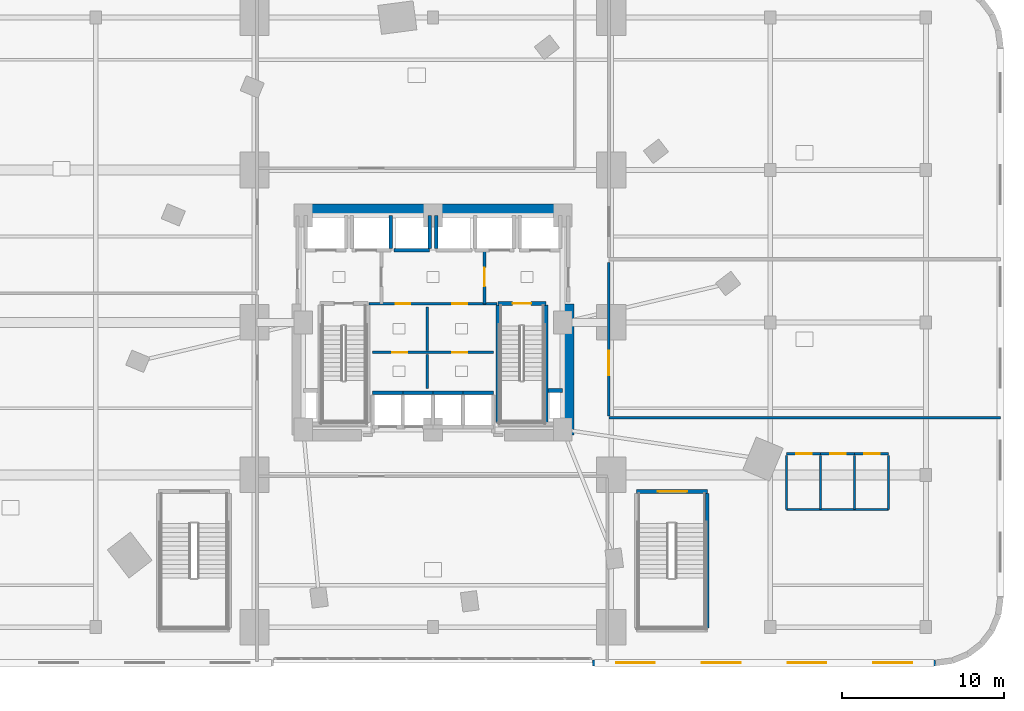
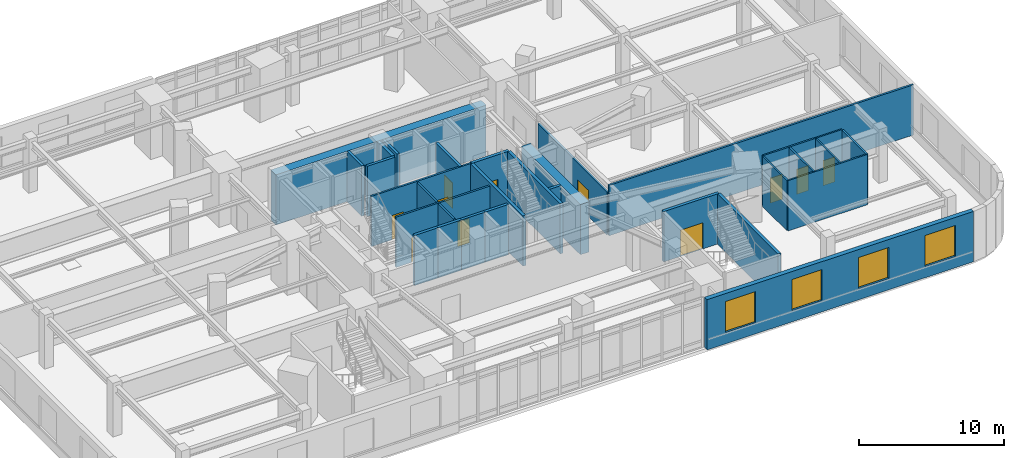
# One storey, part 14 of 19: 32 walls, 11 doors, 4 windows, 15 openings.
"""IFC4 building model written with IfcOpenShell, lengths in metres."""

import ifcopenshell
import ifcopenshell.guid

model = None  # the IFC model being written
_history = None  # IfcOwnerHistory: only IFC2X3 demands one
_inside = {}  # id of a spatial element -> (the spatial element, [elements in it])
_under = {}  # id of a project, library or spatial element -> (it, [spatial elements below it])
_declared = {}  # id of a project -> (the project, [libraries it declares])
_typed = {}  # id of a type object -> (the type object, [elements of that type])
_made_of = {}  # id of a material, layer set ... -> (it, [elements and type objects made of it])


def new_model(schema):
    """Start an empty IFC model of exactly this schema.

    Asked for "IFC4X3", IfcOpenShell would pick the latest addendum, in which some entities
    have other attributes; the version numbers below select the first issue.
    IFC2X3 requires an IfcOwnerHistory on every rooted entity: one is made here for all.
    """
    global model, _history
    if schema == "IFC4X3":
        model = ifcopenshell.file(schema_version=(4, 3, 0, 0))
    else:
        model = ifcopenshell.file(schema=schema)
    _inside.clear()
    _under.clear()
    _declared.clear()
    _typed.clear()
    _made_of.clear()
    _history = None
    if model.schema == "IFC2X3":
        org = make("IfcOrganization", Name="unknown")
        user = make(
            "IfcPersonAndOrganization",
            ThePerson=make("IfcPerson", FamilyName="unknown"),
            TheOrganization=org,
        )
        app = make(
            "IfcApplication",
            ApplicationDeveloper=org,
            Version="unknown",
            ApplicationFullName="unknown",
            ApplicationIdentifier="unknown",
        )
        _history = make(
            "IfcOwnerHistory",
            OwningUser=user,
            OwningApplication=app,
            ChangeAction="ADDED",
            CreationDate=0,
        )
    return model


def make(cls, **values):
    """One entity of the class cls with the attributes given. An attribute that is None is left unset."""
    return model.create_entity(
        cls, **{name: value for name, value in values.items() if value is not None}
    )


def rooted(cls, **values):
    """An entity with a GlobalId (a new one), such as an element, a storey or a relation."""
    return make(cls, GlobalId=ifcopenshell.guid.new(), OwnerHistory=_history, **values)


def si_unit(unit_type, name, prefix=None):
    """IfcSIUnit, for example si_unit("LENGTHUNIT", "METRE", prefix="MILLI")."""
    return make("IfcSIUnit", UnitType=unit_type, Prefix=prefix, Name=name)


def assignment(units):
    """IfcUnitAssignment: the units of a project."""
    return None if units is None else make("IfcUnitAssignment", Units=units)


def point(xyz):
    """IfcCartesianPoint."""
    return None if xyz is None else make("IfcCartesianPoint", Coordinates=xyz)


def direction(xyz):
    """IfcDirection."""
    return None if xyz is None else make("IfcDirection", DirectionRatios=xyz)


def frame(location, z_axis=None, x_axis=None):
    """IfcAxis2Placement3D, a coordinate frame: its origin and axes. An axis left out is left unset."""
    return make(
        "IfcAxis2Placement3D",
        Location=point(location),
        Axis=direction(z_axis),
        RefDirection=direction(x_axis),
    )


def frame_2d(location, x_axis=None):
    """IfcAxis2Placement2D, a coordinate frame in the plane: its origin and x axis."""
    return make(
        "IfcAxis2Placement2D", Location=point(location), RefDirection=direction(x_axis)
    )


def origin():
    """The frame at (0, 0, 0) with its axes left unset."""
    return frame((0.0, 0.0, 0.0))


def place(relative_to, where):
    """IfcLocalPlacement: puts the frame where relative to a parent placement (None: the world)."""
    return make(
        "IfcLocalPlacement", PlacementRelTo=relative_to, RelativePlacement=where
    )


def context(
    kind, dimensions, precision=None, world=None, true_north=None, identifier=None
):
    """IfcGeometricRepresentationContext, for example the 3D "Model" context."""
    return make(
        "IfcGeometricRepresentationContext",
        ContextIdentifier=identifier,
        ContextType=kind,
        CoordinateSpaceDimension=dimensions,
        Precision=precision,
        WorldCoordinateSystem=world,
        TrueNorth=true_north,
    )


def subcontext(parent, identifier, kind, view, scale=None):
    """IfcGeometricRepresentationSubContext, for example "Body" below "Model"."""
    return make(
        "IfcGeometricRepresentationSubContext",
        ContextIdentifier=identifier,
        ContextType=kind,
        ParentContext=parent,
        TargetScale=scale,
        TargetView=view,
    )


def project(units=None, contexts=None):
    """IfcProject with its units and contexts."""
    return rooted(
        "IfcProject",
        Name="project",
        RepresentationContexts=contexts,
        UnitsInContext=assignment(units),
    )


def spatial(cls, under=None, at=None, **own):
    """A site, building, storey or space (cls), placed at a placement, below another one or the project."""
    s = rooted(cls, ObjectPlacement=at, **own)
    if under is not None:
        _under.setdefault(under.id(), (under, []))[1].append(s)
    return s


def profile(cls, at=None, kind="AREA", **sizes):
    """A parametric profile (cls). Its sizes go by their IFC names, for example OverallWidth=200.0."""
    return make(cls, ProfileType=kind, Position=at, **sizes)


def rectangle(**sizes):
    """IfcRectangleProfileDef."""
    return profile("IfcRectangleProfileDef", **sizes)


def extrude(swept, where, along, depth):
    """IfcExtrudedAreaSolid: the profile swept, set in the frame where, extruded along a direction by depth."""
    return make(
        "IfcExtrudedAreaSolid",
        SweptArea=swept,
        Position=where,
        ExtrudedDirection=direction(along),
        Depth=depth,
    )


def shape(context_of_items, identifier, shape_type, items):
    """IfcShapeRepresentation: the items that make up one representation, for example the "Body"."""
    return make(
        "IfcShapeRepresentation",
        ContextOfItems=context_of_items,
        RepresentationIdentifier=identifier,
        RepresentationType=shape_type,
        Items=items,
    )


def material(Name=None, Category=None):
    """IfcMaterial."""
    return make("IfcMaterial", Name=Name, Category=Category)


def layer(
    of_material, thickness, ventilated=None, Name=None, Category=None, Priority=None
):
    """IfcMaterialLayer: one layer of a wall or slab, of a material (None: an air gap)."""
    return make(
        "IfcMaterialLayer",
        Material=of_material,
        LayerThickness=thickness,
        IsVentilated=ventilated,
        Name=Name,
        Category=Category,
        Priority=Priority,
    )


def layer_set(layers, Name=None):
    """IfcMaterialLayerSet."""
    return make("IfcMaterialLayerSet", MaterialLayers=layers, LayerSetName=Name)


def made_of(thing, what):
    """Note that an element or type object is made of a material, layer set ...; save() writes the relation."""
    if what is not None:
        _made_of.setdefault(what.id(), (what, []))[1].append(thing)
    return thing


def type_object(cls, material=None, **own):
    """A type object (cls), such as IfcWallType, which elements share."""
    return made_of(rooted(cls, **own), material)


def element(
    cls,
    number,
    at=None,
    inside=None,
    cuts=None,
    type_object=None,
    material=None,
    context=None,
    identifier="Body",
    shape_type=None,
    held_by="IfcProductDefinitionShape",
    body=None,
    shapes=None,
    **own,
):
    """One element of the class cls, such as IfcWall. Its Tag is "e" and its number.

    at: its placement. inside: the storey or other place that contains it. cuts: it is an
    opening in that element (IfcRelVoidsElement). A single representation is given by context,
    identifier, shape_type and body (its items); several are given by shapes. held_by: the class
    of the entity that holds the representations. save() writes the other relations.
    """
    e = rooted(cls, Tag="e%d" % number, ObjectPlacement=at, **own)
    if body is not None:
        shapes = [shape(context, identifier, shape_type, body)]
    if shapes is not None:
        e.Representation = make(held_by, Representations=shapes)
    if inside is not None:
        _inside.setdefault(inside.id(), (inside, []))[1].append(e)
    if cuts is not None:
        rooted(
            "IfcRelVoidsElement", RelatingBuildingElement=cuts, RelatedOpeningElement=e
        )
    if type_object is not None:
        _typed.setdefault(type_object.id(), (type_object, []))[1].append(e)
    return made_of(e, material)


def fill(opening, filler):
    """IfcRelFillsElement: the door or window that sits in an opening."""
    return rooted(
        "IfcRelFillsElement",
        RelatingOpeningElement=opening,
        RelatedBuildingElement=filler,
    )


def aggregate(whole, parts):
    """IfcRelAggregates: a whole, such as a stair, and the parts it consists of."""
    return rooted("IfcRelAggregates", RelatingObject=whole, RelatedObjects=parts)


def save(model, path):
    """Write the relations noted so far, then the file.

    IfcRelAggregates (storeys below a building ...), IfcRelContainedInSpatialStructure (elements
    in a storey), IfcRelDefinesByType, IfcRelAssociatesMaterial and IfcRelDeclares: one each for
    every whole, place, type object, material and project.
    """
    for whole, parts in _under.values():
        aggregate(whole, parts)
    for where, things in _inside.values():
        rooted(
            "IfcRelContainedInSpatialStructure",
            RelatedElements=things,
            RelatingStructure=where,
        )
    for kind, things in _typed.values():
        rooted("IfcRelDefinesByType", RelatedObjects=things, RelatingType=kind)
    for what, things in _made_of.values():
        rooted("IfcRelAssociatesMaterial", RelatedObjects=things, RelatingMaterial=what)
    for by, libraries in _declared.values():
        rooted("IfcRelDeclares", RelatingContext=by, RelatedDefinitions=libraries)
    model.write(path)


model = new_model("IFC4")

# Units and contexts
model_context = context("Model", 3, precision=1e-05, world=origin(), true_north=direction((0.0, 1.0)))
body_context = subcontext(model_context, "Body", "Model", "MODEL_VIEW")
ifc_project = project(units=[si_unit("LENGTHUNIT", "METRE"), si_unit("AREAUNIT", "SQUARE_METRE"), si_unit("VOLUMEUNIT", "CUBIC_METRE"), si_unit("PLANEANGLEUNIT", "RADIAN"), si_unit("MASSUNIT", "GRAM", prefix="KILO")], contexts=[model_context])

# Site, building, storey
site_placement = place(None, origin())
site = spatial("IfcSite", under=ifc_project, at=site_placement, CompositionType="ELEMENT")
building_placement = place(site_placement, origin())
building = spatial("IfcBuilding", under=site, at=building_placement, Name="Ndelora Gate Hotel", CompositionType="ELEMENT")
storey_placement = place(building_placement, frame((0.0, 0.0, 21.5)))
storey = spatial("IfcBuildingStorey", under=building, at=storey_placement, Name="L04", CompositionType="ELEMENT", Elevation=21.5)

# Wall, openings, windows
ifc_material_1 = material(Name="Clay Brick Masonry", Category="masonry")
ifc_layer_1 = layer(ifc_material_1, 0.360107421875)
ifc_layer_set_1 = layer_set([ifc_layer_1], Name="Clay Brick Masonry")
wall_type_1 = type_object("IfcWallType", Name="WL-BRICK-360", PredefinedType="SOLIDWALL", material=ifc_layer_set_1)
wall_1_placement = place(storey_placement, frame((31.0, -21.0, 0.0), z_axis=(0.0, 0.0, 1.0), x_axis=(-1.0, 0.0, 0.0)))
wall_1 = element("IfcWall", 1, at=wall_1_placement, inside=storey, type_object=wall_type_1, Name="L04 Exterior Brick Pier-and-Spandrel Wall 30", PredefinedType="SOLIDWALL", context=body_context, shape_type="SweptSolid", body=[
    extrude(rectangle(XDim=21.14990234375, YDim=0.360107421875, at=frame_2d((10.574951171875, 0.0))), origin(), (0.0, 0.0, 1.0), 4.219970703125),
])
opening_1_placement = place(wall_1_placement, frame((1.443603515625, 0.0, 0.949951171875)))
opening_1 = element("IfcOpeningElement", 2, at=opening_1_placement, cuts=wall_1, Name="Opening W04", PredefinedType="OPENING", context=body_context, shape_type="SweptSolid", body=[
    extrude(rectangle(XDim=2.39990234375, YDim=2.60009765625, at=frame_2d((1.199951171875, 1.300048828125))), frame((0.0, 0.18994140625, 0.0), z_axis=(0.0, -1.0, 0.0), x_axis=(1.0, 0.0, 0.0)), (0.0, 0.0, 1.0), 0.380126953125),
])
opening_2_placement = place(wall_1_placement, frame((6.731201171875, 0.0, 0.949951171875)))
opening_2 = element("IfcOpeningElement", 3, at=opening_2_placement, cuts=wall_1, Name="Opening W04", PredefinedType="OPENING", context=body_context, shape_type="SweptSolid", body=[
    extrude(rectangle(XDim=2.39990234375, YDim=2.60009765625, at=frame_2d((1.199951171875, 1.300048828125))), frame((0.0, 0.18994140625, 0.0), z_axis=(0.0, -1.0, 0.0), x_axis=(1.0, 0.0, 0.0)), (0.0, 0.0, 1.0), 0.380126953125),
])
opening_3_placement = place(wall_1_placement, frame((12.018798828125, 0.0, 0.949951171875)))
opening_3 = element("IfcOpeningElement", 4, at=opening_3_placement, cuts=wall_1, Name="Opening W04", PredefinedType="OPENING", context=body_context, shape_type="SweptSolid", body=[
    extrude(rectangle(XDim=2.39990234375, YDim=2.60009765625, at=frame_2d((1.199951171875, 1.300048828125))), frame((0.0, 0.18994140625, 0.0), z_axis=(0.0, -1.0, 0.0), x_axis=(1.0, 0.0, 0.0)), (0.0, 0.0, 1.0), 0.380126953125),
])
opening_4_placement = place(wall_1_placement, frame((17.30615234375, 0.0, 0.949951171875)))
opening_4 = element("IfcOpeningElement", 5, at=opening_4_placement, cuts=wall_1, Name="Opening W04", PredefinedType="OPENING", context=body_context, shape_type="SweptSolid", body=[
    extrude(rectangle(XDim=2.39990234375, YDim=2.60009765625, at=frame_2d((1.199951171875, 1.300048828125))), frame((0.0, 0.18994140625, 0.0), z_axis=(0.0, -1.0, 0.0), x_axis=(1.0, 0.0, 0.0)), (0.0, 0.0, 1.0), 0.380126953125),
])
ifc_material_2 = material(Name="Insulated Low-E Double Glazing in Bronze Aluminium Frame", Category="aluminium")
window_type = type_object("IfcWindowType", Name="WN-POD-2400", PartitioningType="SINGLE_PANEL", PredefinedType="WINDOW", material=ifc_material_2)
window_1_placement = place(opening_1_placement, origin())
window_1 = element("IfcWindow", 6, at=window_1_placement, inside=storey, type_object=window_type, Name="L04 Deep-Set Podium Brick-Frame Window W04", OverallHeight=2.60009765625, OverallWidth=2.39990234375, PartitioningType="SINGLE_PANEL", PredefinedType="WINDOW", context=body_context, shape_type="SweptSolid", body=[
    extrude(rectangle(XDim=2.39990234375, YDim=2.60009765625, at=frame_2d((1.199951171875, 1.300048828125))), frame((0.0, 0.030029296875, 0.0), z_axis=(0.0, -1.0, 0.0), x_axis=(1.0, 0.0, 0.0)), (0.0, 0.0, 1.0), 0.06005859375),
])
fill(opening_1, window_1)
window_2_placement = place(opening_2_placement, origin())
window_2 = element("IfcWindow", 7, at=window_2_placement, inside=storey, type_object=window_type, Name="L04 Deep-Set Podium Brick-Frame Window W04", OverallHeight=2.60009765625, OverallWidth=2.39990234375, PartitioningType="SINGLE_PANEL", PredefinedType="WINDOW", context=body_context, shape_type="SweptSolid", body=[
    extrude(rectangle(XDim=2.39990234375, YDim=2.60009765625, at=frame_2d((1.199951171875, 1.300048828125))), frame((0.0, 0.030029296875, 0.0), z_axis=(0.0, -1.0, 0.0), x_axis=(1.0, 0.0, 0.0)), (0.0, 0.0, 1.0), 0.06005859375),
])
fill(opening_2, window_2)
window_3_placement = place(opening_3_placement, origin())
window_3 = element("IfcWindow", 8, at=window_3_placement, inside=storey, type_object=window_type, Name="L04 Deep-Set Podium Brick-Frame Window W04", OverallHeight=2.60009765625, OverallWidth=2.39990234375, PartitioningType="SINGLE_PANEL", PredefinedType="WINDOW", context=body_context, shape_type="SweptSolid", body=[
    extrude(rectangle(XDim=2.39990234375, YDim=2.60009765625, at=frame_2d((1.199951171875, 1.300048828125))), frame((0.0, 0.030029296875, 0.0), z_axis=(0.0, -1.0, 0.0), x_axis=(1.0, 0.0, 0.0)), (0.0, 0.0, 1.0), 0.06005859375),
])
fill(opening_3, window_3)
window_4_placement = place(opening_4_placement, origin())
window_4 = element("IfcWindow", 9, at=window_4_placement, inside=storey, type_object=window_type, Name="L04 Deep-Set Podium Brick-Frame Window W04", OverallHeight=2.60009765625, OverallWidth=2.39990234375, PartitioningType="SINGLE_PANEL", PredefinedType="WINDOW", context=body_context, shape_type="SweptSolid", body=[
    extrude(rectangle(XDim=2.39990234375, YDim=2.60009765625, at=frame_2d((1.199951171875, 1.300048828125))), frame((0.0, 0.030029296875, 0.0), z_axis=(0.0, -1.0, 0.0), x_axis=(1.0, 0.0, 0.0)), (0.0, 0.0, 1.0), 0.06005859375),
])
fill(opening_4, window_4)

# Walls
ifc_material_3 = material(Name="Concrete C60/75", Category="concrete")
ifc_layer_2 = layer(ifc_material_3, 0.699951171875)
ifc_layer_set_2 = layer_set([ifc_layer_2], Name="Concrete C60/75")
wall_type_2 = type_object("IfcWallType", Name="WL-CORE-700", PredefinedType="SHEAR", material=ifc_layer_set_2)
wall_2_placement = place(storey_placement, frame((-8.35009765625, 6.949951171875, 0.0), z_axis=(0.0, 0.0, 1.0), x_axis=(1.0, 0.0, 0.0)))
element("IfcWall", 10, at=wall_2_placement, inside=storey, type_object=wall_type_2, Name="L04 Core Shear Wall N", PredefinedType="SHEAR", context=body_context, shape_type="SweptSolid", body=[
    extrude(rectangle(XDim=16.7001953125, YDim=0.699951171875, at=frame_2d((8.35009765625, 0.0))), origin(), (0.0, 0.0, 1.0), 4.219970703125),
])
wall_3_placement = place(storey_placement, frame((8.35009765625, -6.949951171875, 0.0), z_axis=(0.0, 0.0, 1.0), x_axis=(0.0, 1.0, 0.0)))
element("IfcWall", 11, at=wall_3_placement, inside=storey, type_object=wall_type_2, Name="L04 Core Shear Wall E", PredefinedType="SHEAR", context=body_context, shape_type="SweptSolid", body=[
    extrude(rectangle(XDim=8.099853515625, YDim=0.699951171875, at=frame_2d((4.0498046875, 0.0))), origin(), (0.0, 0.0, 1.0), 4.219970703125),
])

# Wall, opening, door
ifc_material_4 = material(Name="Concrete C40/50", Category="concrete")
ifc_layer_3 = layer(ifc_material_4, 0.199951171875)
ifc_layer_set_3 = layer_set([ifc_layer_3], Name="Concrete C40/50")
wall_type_3 = type_object("IfcWallType", Name="WL-FIRE-200", PredefinedType="PARTITIONING", material=ifc_layer_set_3)
wall_4_placement = place(storey_placement, frame((3.179931640625, 1.14990234375, 0.0), z_axis=(0.0, 0.0, 1.0), x_axis=(0.0, 1.0, 0.0)))
wall_4 = element("IfcWall", 12, at=wall_4_placement, inside=storey, type_object=wall_type_3, Name="L04 Interior Wall IW-2", PredefinedType="PARTITIONING", context=body_context, shape_type="SweptSolid", body=[
    extrude(rectangle(XDim=3.300048828125, YDim=0.199951171875, at=frame_2d((1.64990234375, 0.0))), origin(), (0.0, 0.0, 1.0), 4.219970703125),
])
opening_5_placement = place(wall_4_placement, frame((1.080078125, 0.0, 0.0)))
opening_5 = element("IfcOpeningElement", 13, at=opening_5_placement, cuts=wall_4, Name="Opening FD1", PredefinedType="OPENING", context=body_context, shape_type="SweptSolid", body=[
    extrude(rectangle(XDim=1.14990234375, YDim=2.14990234375, at=frame_2d((0.574951171875, 1.074951171875))), frame((0.0, 0.10986328125, 0.0), z_axis=(0.0, -1.0, 0.0), x_axis=(1.0, 0.0, 0.0)), (0.0, 0.0, 1.0), 0.219970703125),
])
ifc_material_5 = material(Name="Fire-Rated Timber-Veneer Steel Core", Category="steel")
door_type_1 = type_object("IfcDoorType", Name="DR-FD60", OperationType="SINGLE_SWING_LEFT", PredefinedType="DOOR", material=ifc_material_5)
door_1_placement = place(opening_5_placement, origin())
door_1 = element("IfcDoor", 14, at=door_1_placement, inside=storey, type_object=door_type_1, Name="L04 Firefighting Lobby East Door", OperationType="SINGLE_SWING_LEFT", OverallHeight=2.14990234375, OverallWidth=1.14990234375, PredefinedType="DOOR", context=body_context, shape_type="SweptSolid", body=[
    extrude(rectangle(XDim=1.14990234375, YDim=2.14990234375, at=frame_2d((0.574951171875, 1.074951171875))), frame((0.0, 0.02490234375, 0.0), z_axis=(0.0, -1.0, 0.0), x_axis=(1.0, 0.0, 0.0)), (0.0, 0.0, 1.0), 0.050048828125),
])
fill(opening_5, door_1)

# Wall, openings, doors
ifc_material_6 = material(Name="Fire-Rated Gypsum Stud Partition", Category="gypsum")
ifc_layer_4 = layer(ifc_material_6, 0.14990234375)
ifc_layer_set_4 = layer_set([ifc_layer_4], Name="Fire-Rated Gypsum Stud Partition")
wall_type_4 = type_object("IfcWallType", Name="WL-PART-150", PredefinedType="PARTITIONING", material=ifc_layer_set_4)
wall_5_placement = place(storey_placement, frame((3.949951171875, 1.14990234375, 0.0), z_axis=(0.0, 0.0, 1.0), x_axis=(-1.0, 0.0, 0.0)))
wall_5 = element("IfcWall", 15, at=wall_5_placement, inside=storey, type_object=wall_type_4, Name="L04 Interior Wall IW-5", PredefinedType="PARTITIONING", context=body_context, shape_type="SweptSolid", body=[
    extrude(rectangle(XDim=7.89990234375, YDim=0.14990234375, at=frame_2d((3.949951171875, 0.0))), origin(), (0.0, 0.0, 1.0), 4.219970703125),
])
opening_6_placement = place(wall_5_placement, frame((5.340087890625, 0.0, 0.0)))
opening_6 = element("IfcOpeningElement", 16, at=opening_6_placement, cuts=wall_5, Name="Opening D04", PredefinedType="OPENING", context=body_context, shape_type="SweptSolid", body=[
    extrude(rectangle(XDim=0.919921875, YDim=2.050048828125, at=frame_2d((0.4599609375, 1.02490234375))), frame((0.0, 0.0849609375, 0.0), z_axis=(0.0, -1.0, 0.0), x_axis=(1.0, 0.0, 0.0)), (0.0, 0.0, 1.0), 0.169921875),
])
opening_7_placement = place(wall_5_placement, frame((1.840087890625, 0.0, 0.0)))
opening_7 = element("IfcOpeningElement", 17, at=opening_7_placement, cuts=wall_5, Name="Opening D04", PredefinedType="OPENING", context=body_context, shape_type="SweptSolid", body=[
    extrude(rectangle(XDim=0.919921875, YDim=2.050048828125, at=frame_2d((0.4599609375, 1.02490234375))), frame((0.0, 0.0849609375, 0.0), z_axis=(0.0, -1.0, 0.0), x_axis=(1.0, 0.0, 0.0)), (0.0, 0.0, 1.0), 0.169921875),
])
ifc_material_7 = material(Name="Painted Steel Core Service Door", Category="steel")
door_type_2 = type_object("IfcDoorType", Name="DR-SER-920", OperationType="SINGLE_SWING_LEFT", PredefinedType="DOOR", material=ifc_material_7)
door_2_placement = place(opening_6_placement, origin())
door_2 = element("IfcDoor", 18, at=door_2_placement, inside=storey, type_object=door_type_2, Name="L04 Core Electrical Closet Door", OperationType="SINGLE_SWING_LEFT", OverallHeight=2.050048828125, OverallWidth=0.919921875, PredefinedType="DOOR", context=body_context, shape_type="SweptSolid", body=[
    extrude(rectangle(XDim=0.919921875, YDim=2.050048828125, at=frame_2d((0.4599609375, 1.02490234375))), frame((0.0, 0.02490234375, 0.0), z_axis=(0.0, -1.0, 0.0), x_axis=(1.0, 0.0, 0.0)), (0.0, 0.0, 1.0), 0.050048828125),
])
fill(opening_6, door_2)
door_3_placement = place(opening_7_placement, origin())
door_3 = element("IfcDoor", 19, at=door_3_placement, inside=storey, type_object=door_type_2, Name="L04 Comms Patching Store Door", OperationType="SINGLE_SWING_RIGHT", OverallHeight=2.050048828125, OverallWidth=0.919921875, PredefinedType="DOOR", context=body_context, shape_type="SweptSolid", body=[
    extrude(rectangle(XDim=0.919921875, YDim=2.050048828125, at=frame_2d((0.4599609375, 1.02490234375))), frame((0.0, 0.02490234375, 0.0), z_axis=(0.0, -1.0, 0.0), x_axis=(1.0, 0.0, 0.0)), (0.0, 0.0, 1.0), 0.050048828125),
])
fill(opening_7, door_3)

wall_6_placement = place(storey_placement, frame((-3.719970703125, -1.85009765625, 0.0), z_axis=(0.0, 0.0, 1.0), x_axis=(1.0, 0.0, 0.0)))
wall_6 = element("IfcWall", 20, at=wall_6_placement, inside=storey, type_object=wall_type_4, Name="L04 Interior Wall IW-5", PredefinedType="PARTITIONING", context=body_context, shape_type="SweptSolid", body=[
    extrude(rectangle(XDim=7.43994140625, YDim=0.14990234375, at=frame_2d((3.719970703125, 0.0))), origin(), (0.0, 0.0, 1.0), 4.219970703125),
])
opening_8_placement = place(wall_6_placement, frame((1.2099609375, 0.0, 0.0)))
opening_8 = element("IfcOpeningElement", 21, at=opening_8_placement, cuts=wall_6, Name="Opening D04", PredefinedType="OPENING", context=body_context, shape_type="SweptSolid", body=[
    extrude(rectangle(XDim=0.919921875, YDim=2.050048828125, at=frame_2d((0.4599609375, 1.02490234375))), frame((0.0, 0.0849609375, 0.0), z_axis=(0.0, -1.0, 0.0), x_axis=(1.0, 0.0, 0.0)), (0.0, 0.0, 1.0), 0.169921875),
])
opening_9_placement = place(wall_6_placement, frame((4.909912109375, 0.0, 0.0)))
opening_9 = element("IfcOpeningElement", 22, at=opening_9_placement, cuts=wall_6, Name="Opening D04", PredefinedType="OPENING", context=body_context, shape_type="SweptSolid", body=[
    extrude(rectangle(XDim=0.919921875, YDim=2.050048828125, at=frame_2d((0.4599609375, 1.02490234375))), frame((0.0, 0.0849609375, 0.0), z_axis=(0.0, -1.0, 0.0), x_axis=(1.0, 0.0, 0.0)), (0.0, 0.0, 1.0), 0.169921875),
])
door_4_placement = place(opening_8_placement, origin())
door_4 = element("IfcDoor", 23, at=door_4_placement, inside=storey, type_object=door_type_2, Name="L04 Core Service Internal Door", OperationType="SINGLE_SWING_LEFT", OverallHeight=2.050048828125, OverallWidth=0.919921875, PredefinedType="DOOR", context=body_context, shape_type="SweptSolid", body=[
    extrude(rectangle(XDim=0.919921875, YDim=2.050048828125, at=frame_2d((0.4599609375, 1.02490234375))), frame((0.0, 0.02490234375, 0.0), z_axis=(0.0, -1.0, 0.0), x_axis=(1.0, 0.0, 0.0)), (0.0, 0.0, 1.0), 0.050048828125),
])
fill(opening_8, door_4)
door_5_placement = place(opening_9_placement, origin())
door_5 = element("IfcDoor", 24, at=door_5_placement, inside=storey, type_object=door_type_2, Name="L04 Core Service Internal Door", OperationType="SINGLE_SWING_LEFT", OverallHeight=2.050048828125, OverallWidth=0.919921875, PredefinedType="DOOR", context=body_context, shape_type="SweptSolid", body=[
    extrude(rectangle(XDim=0.919921875, YDim=2.050048828125, at=frame_2d((0.4599609375, 1.02490234375))), frame((0.0, 0.02490234375, 0.0), z_axis=(0.0, -1.0, 0.0), x_axis=(1.0, 0.0, 0.0)), (0.0, 0.0, 1.0), 0.050048828125),
])
fill(opening_9, door_5)

# Walls
wall_7_placement = place(storey_placement, frame((-0.35009765625, -4.080078125, 0.0), z_axis=(0.0, 0.0, 1.0), x_axis=(0.0, 1.0, 0.0)))
element("IfcWall", 25, at=wall_7_placement, inside=storey, type_object=wall_type_4, Name="L04 Interior Wall IW-5", PredefinedType="PARTITIONING", context=body_context, shape_type="SweptSolid", body=[
    extrude(rectangle(XDim=2.110107421875, YDim=0.14990234375, at=frame_2d((1.05517578125, 0.0))), origin(), (0.0, 0.0, 1.0), 4.219970703125),
])
wall_8_placement = place(storey_placement, frame((-0.35009765625, -1.72998046875, 0.0), z_axis=(0.0, 0.0, 1.0), x_axis=(0.0, 1.0, 0.0)))
element("IfcWall", 26, at=wall_8_placement, inside=storey, type_object=wall_type_4, Name="L04 Interior Wall IW-5", PredefinedType="PARTITIONING", context=body_context, shape_type="SweptSolid", body=[
    extrude(rectangle(XDim=2.679931640625, YDim=0.14990234375, at=frame_2d((1.33984375, 0.0))), origin(), (0.0, 0.0, 1.0), 4.219970703125),
])
ifc_layer_5 = layer(ifc_material_6, 0.159912109375)
ifc_layer_set_5 = layer_set([ifc_layer_5], Name="Fire-Rated Gypsum Stud Partition")
wall_type_5 = type_object("IfcWallType", Name="WL-PART-160", PredefinedType="PARTITIONING", material=ifc_layer_set_5)
wall_9_placement = place(storey_placement, frame((10.85009765625, -5.8798828125, 0.0), z_axis=(0.0, 0.0, 1.0), x_axis=(1.0, 0.0, 0.0)))
element("IfcWall", 27, at=wall_9_placement, inside=storey, type_object=wall_type_5, Name="L04 Interior Wall IW-4", PredefinedType="PARTITIONING", context=body_context, shape_type="SweptSolid", body=[
    extrude(rectangle(XDim=24.14990234375, YDim=0.159912109375, at=frame_2d((12.074951171875, 0.0))), origin(), (0.0, 0.0, 1.0), 4.219970703125),
])

# Wall, opening, door
wall_10_placement = place(storey_placement, frame((10.85009765625, 3.699951171875, 0.0), z_axis=(0.0, 0.0, 1.0), x_axis=(0.0, -1.0, 0.0)))
wall_10 = element("IfcWall", 28, at=wall_10_placement, inside=storey, type_object=wall_type_5, Name="L04 Interior Wall IW-4", PredefinedType="PARTITIONING", context=body_context, shape_type="SweptSolid", body=[
    extrude(rectangle(XDim=9.47998046875, YDim=0.159912109375, at=frame_2d((4.739990234375, 0.0))), origin(), (0.0, 0.0, 1.0), 3.60009765625),
])
opening_10_placement = place(wall_10_placement, frame((5.4599609375, 0.0, 0.0)))
opening_10 = element("IfcOpeningElement", 29, at=opening_10_placement, cuts=wall_10, Name="Opening D06", PredefinedType="OPENING", context=body_context, shape_type="SweptSolid", body=[
    extrude(rectangle(XDim=1.5, YDim=2.199951171875, at=frame_2d((0.75, 1.10009765625))), frame((0.0, 0.08984375, 0.0), z_axis=(0.0, -1.0, 0.0), x_axis=(1.0, 0.0, 0.0)), (0.0, 0.0, 1.0), 0.179931640625),
])
ifc_material_8 = material(Name="Podium Salon Double Leaf Door", Category="wood")
door_type_3 = type_object("IfcDoorType", Name="DR-POD-1500", OperationType="DOUBLE_DOOR_SINGLE_SWING", PredefinedType="DOOR", material=ifc_material_8)
door_6_placement = place(opening_10_placement, origin())
door_6 = element("IfcDoor", 30, at=door_6_placement, inside=storey, type_object=door_type_3, Name="L04 Hotel Executive Administration Office Door", OperationType="DOUBLE_DOOR_SINGLE_SWING", OverallHeight=2.199951171875, OverallWidth=1.5, PredefinedType="DOOR", context=body_context, shape_type="SweptSolid", body=[
    extrude(rectangle(XDim=1.5, YDim=2.199951171875, at=frame_2d((0.75, 1.10009765625))), frame((0.0, 0.02490234375, 0.0), z_axis=(0.0, -1.0, 0.0), x_axis=(1.0, 0.0, 0.0)), (0.0, 0.0, 1.0), 0.050048828125),
])
fill(opening_10, door_6)

# Walls
ifc_layer_6 = layer(ifc_material_4, 0.219970703125)
ifc_layer_set_6 = layer_set([ifc_layer_6], Name="Concrete C40/50")
wall_type_6 = type_object("IfcWallType", Name="WL-SHAFT-220", PredefinedType="PARTITIONING", material=ifc_layer_set_6)
wall_11_placement = place(storey_placement, frame((7.090087890625, -4.199951171875, 0.0), z_axis=(0.0, 0.0, 1.0), x_axis=(1.0, 0.0, 0.0)))
element("IfcWall", 31, at=wall_11_placement, inside=storey, type_object=wall_type_6, Name="L04 Interior Wall IW-1", PredefinedType="PARTITIONING", context=body_context, shape_type="SweptSolid", body=[
    extrude(rectangle(XDim=0.909912109375, YDim=0.219970703125, at=frame_2d((0.455078125, 0.0))), origin(), (0.0, 0.0, 1.0), 4.219970703125),
])
wall_12_placement = place(storey_placement, frame((-2.60009765625, 4.570068359375, 0.0), z_axis=(0.0, 0.0, 1.0), x_axis=(0.0, 1.0, 0.0)))
element("IfcWall", 32, at=wall_12_placement, inside=storey, type_object=wall_type_6, Name="L04 Interior Wall IW-1", PredefinedType="PARTITIONING", context=body_context, shape_type="SweptSolid", body=[
    extrude(rectangle(XDim=2.030029296875, YDim=0.219970703125, at=frame_2d((1.01513671875, 0.0))), origin(), (0.0, 0.0, 1.0), 4.219970703125),
])
wall_13_placement = place(storey_placement, frame((-3.719970703125, -4.35009765625, 0.0), z_axis=(0.0, 0.0, 1.0), x_axis=(1.0, 0.0, 0.0)))
element("IfcWall", 33, at=wall_13_placement, inside=storey, type_object=wall_type_6, Name="L04 Interior Wall IW-1", PredefinedType="PARTITIONING", context=body_context, shape_type="SweptSolid", body=[
    extrude(rectangle(XDim=1.85986328125, YDim=0.219970703125, at=frame_2d((0.929931640625, 0.0))), origin(), (0.0, 0.0, 1.0), 4.219970703125),
])
for number, where, z_axis, x_axis, name in (
    (34, (-1.860107421875, -4.35009765625, 0.0), (0.0, 0.0, 1.0), (1.0, 0.0, 0.0), "L04 Interior Wall IW-1"),
    (35, (0.0, -4.35009765625, 0.0), (0.0, 0.0, 1.0), (1.0, 0.0, 0.0), "L04 Interior Wall IW-1"),
):
    element("IfcWall", number, at=place(storey_placement, frame(where, z_axis=z_axis, x_axis=x_axis)), inside=storey, type_object=wall_type_6, Name=name, PredefinedType="PARTITIONING", context=body_context, shape_type="SweptSolid", body=[
        extrude(rectangle(XDim=1.860107421875, YDim=0.219970703125, at=frame_2d((0.93017578125, 0.0))), origin(), (0.0, 0.0, 1.0), 4.219970703125),
    ])
wall_14_placement = place(storey_placement, frame((1.860107421875, -4.35009765625, 0.0), z_axis=(0.0, 0.0, 1.0), x_axis=(1.0, 0.0, 0.0)))
element("IfcWall", 36, at=wall_14_placement, inside=storey, type_object=wall_type_6, Name="L04 Interior Wall IW-1", PredefinedType="PARTITIONING", context=body_context, shape_type="SweptSolid", body=[
    extrude(rectangle(XDim=1.85986328125, YDim=0.219970703125, at=frame_2d((0.929931640625, 0.0))), origin(), (0.0, 0.0, 1.0), 4.219970703125),
])
wall_15_placement = place(storey_placement, frame((-2.39990234375, 4.449951171875, 0.0), z_axis=(0.0, 0.0, 1.0), x_axis=(1.0, 0.0, 0.0)))
element("IfcWall", 37, at=wall_15_placement, inside=storey, type_object=wall_type_6, Name="L04 Interior Wall IW-1", PredefinedType="PARTITIONING", context=body_context, shape_type="SweptSolid", body=[
    extrude(rectangle(XDim=2.199951171875, YDim=0.219970703125, at=frame_2d((1.10009765625, 0.0))), origin(), (0.0, 0.0, 1.0), 4.219970703125),
])
for number, where, z_axis, x_axis, name in (
    (38, (-0.199951171875, 4.570068359375, 0.0), (0.0, 0.0, 1.0), (0.0, 1.0, 0.0), "L04 Interior Wall IW-1"),
    (39, (0.199951171875, 4.570068359375, 0.0), (0.0, 0.0, 1.0), (0.0, 1.0, 0.0), "L04 Interior Wall IW-1"),
):
    element("IfcWall", number, at=place(storey_placement, frame(where, z_axis=z_axis, x_axis=x_axis)), inside=storey, type_object=wall_type_6, Name=name, PredefinedType="PARTITIONING", context=body_context, shape_type="SweptSolid", body=[
        extrude(rectangle(XDim=2.030029296875, YDim=0.219970703125, at=frame_2d((1.01513671875, 0.0))), origin(), (0.0, 0.0, 1.0), 4.219970703125),
    ])
ifc_material_9 = material(Name="Concrete C50/60", Category="concrete")
ifc_layer_7 = layer(ifc_material_9, 0.239990234375)
ifc_layer_set_7 = layer_set([ifc_layer_7], Name="Concrete C50/60")
wall_type_7 = type_object("IfcWallType", Name="WL-STAIR-240", PredefinedType="SHEAR", material=ifc_layer_set_7)
for number, where, z_axis, x_axis, name in (
    (40, (4.010009765625, -6.159912109375, 0.0), (0.0, 0.0, 1.0), (0.0, 1.0, 0.0), "L04 Stair Core Shear Wall SW-ST"),
    (41, (6.969970703125, -6.159912109375, 0.0), (0.0, 0.0, 1.0), (0.0, 1.0, 0.0), "L04 Stair Core Shear Wall SW-ST"),
):
    element("IfcWall", number, at=place(storey_placement, frame(where, z_axis=z_axis, x_axis=x_axis)), inside=storey, type_object=wall_type_7, Name=name, PredefinedType="SHEAR", context=body_context, shape_type="SweptSolid", body=[
        extrude(rectangle(XDim=7.219970703125, YDim=0.239990234375, at=frame_2d((3.60986328125, 0.0))), origin(), (0.0, 0.0, 1.0), 4.219970703125),
    ])

# Wall, opening, door
wall_16_placement = place(storey_placement, frame((4.010009765625, 1.169921875, 0.0), z_axis=(0.0, 0.0, 1.0), x_axis=(1.0, 0.0, 0.0)))
wall_16 = element("IfcWall", 42, at=wall_16_placement, inside=storey, type_object=wall_type_7, Name="L04 Stair Core Shear Wall SW-ST", PredefinedType="SHEAR", context=body_context, shape_type="SweptSolid", body=[
    extrude(rectangle(XDim=2.9599609375, YDim=0.239990234375, at=frame_2d((1.47998046875, 0.0))), origin(), (0.0, 0.0, 1.0), 4.219970703125),
])
opening_11_placement = place(wall_16_placement, frame((0.89990234375, 0.0, 0.0)))
opening_11 = element("IfcOpeningElement", 43, at=opening_11_placement, cuts=wall_16, Name="Opening FD1", PredefinedType="OPENING", context=body_context, shape_type="SweptSolid", body=[
    extrude(rectangle(XDim=1.14990234375, YDim=2.14990234375, at=frame_2d((0.574951171875, 1.074951171875))), frame((0.0, 0.1298828125, 0.0), z_axis=(0.0, -1.0, 0.0), x_axis=(1.0, 0.0, 0.0)), (0.0, 0.0, 1.0), 0.260009765625),
])
door_7_placement = place(opening_11_placement, origin())
door_7 = element("IfcDoor", 44, at=door_7_placement, inside=storey, type_object=door_type_1, Name="L04 Exit Stair ST5 Door", OperationType="SINGLE_SWING_RIGHT", OverallHeight=2.14990234375, OverallWidth=1.14990234375, PredefinedType="DOOR", context=body_context, shape_type="SweptSolid", body=[
    extrude(rectangle(XDim=1.14990234375, YDim=2.14990234375, at=frame_2d((0.574951171875, 1.074951171875))), frame((0.0, 0.02490234375, 0.0), z_axis=(0.0, -1.0, 0.0), x_axis=(1.0, 0.0, 0.0)), (0.0, 0.0, 1.0), 0.050048828125),
])
fill(opening_11, door_7)

# Wall
wall_17_placement = place(storey_placement, frame((16.919921875, -18.860107421875, 0.0), z_axis=(0.0, 0.0, 1.0), x_axis=(0.0, 1.0, 0.0)))
element("IfcWall", 45, at=wall_17_placement, inside=storey, type_object=wall_type_7, Name="L04 Stair Core Shear Wall SW-ST", PredefinedType="SHEAR", context=body_context, shape_type="SweptSolid", body=[
    extrude(rectangle(XDim=8.320068359375, YDim=0.239990234375, at=frame_2d((4.16015625, 0.0))), origin(), (0.0, 0.0, 1.0), 4.219970703125),
])

# Wall, opening, door
wall_18_placement = place(storey_placement, frame((16.919921875, -10.429931640625, 0.0), z_axis=(0.0, 0.0, 1.0), x_axis=(-1.0, 0.0, 0.0)))
wall_18 = element("IfcWall", 46, at=wall_18_placement, inside=storey, type_object=wall_type_7, Name="L04 Stair Core Shear Wall SW-ST", PredefinedType="SHEAR", context=body_context, shape_type="SweptSolid", body=[
    extrude(rectangle(XDim=4.3798828125, YDim=0.239990234375, at=frame_2d((2.18994140625, 0.0))), origin(), (0.0, 0.0, 1.0), 4.219970703125),
])
opening_12_placement = place(wall_18_placement, frame((1.25, 0.0, 0.0)))
opening_12 = element("IfcOpeningElement", 47, at=opening_12_placement, cuts=wall_18, Name="Opening FD2", PredefinedType="OPENING", context=body_context, shape_type="SweptSolid", body=[
    extrude(rectangle(XDim=1.800048828125, YDim=2.199951171875, at=frame_2d((0.89990234375, 1.10009765625))), frame((0.0, 0.1298828125, 0.0), z_axis=(0.0, -1.0, 0.0), x_axis=(1.0, 0.0, 0.0)), (0.0, 0.0, 1.0), 0.260009765625),
])
ifc_material_10 = material(Name="Fire-Rated Double Exit Door", Category="wood")
door_type_4 = type_object("IfcDoorType", Name="DR-DBL-1800", OperationType="DOUBLE_DOOR_SINGLE_SWING", PredefinedType="DOOR", material=ifc_material_10)
door_8_placement = place(opening_12_placement, origin())
door_8 = element("IfcDoor", 48, at=door_8_placement, inside=storey, type_object=door_type_4, Name="L04 Ballroom Stair ST3B Door", OperationType="DOUBLE_DOOR_SINGLE_SWING", OverallHeight=2.199951171875, OverallWidth=1.800048828125, PredefinedType="DOOR", context=body_context, shape_type="SweptSolid", body=[
    extrude(rectangle(XDim=1.800048828125, YDim=2.199951171875, at=frame_2d((0.89990234375, 1.10009765625))), frame((0.0, 0.02490234375, 0.0), z_axis=(0.0, -1.0, 0.0), x_axis=(1.0, 0.0, 0.0)), (0.0, 0.0, 1.0), 0.050048828125),
])
fill(opening_12, door_8)

ifc_material_11 = material(Name="Moisture-Resistant Fire-Rated Tile Partition", Category="gypsum")
ifc_layer_8 = layer(ifc_material_11, 0.1298828125)
ifc_layer_set_8 = layer_set([ifc_layer_8], Name="Moisture-Resistant Fire-Rated Tile Partition")
wall_type_8 = type_object("IfcWallType", Name="WL-WET-RATED", PredefinedType="PARTITIONING", material=ifc_layer_set_8)
wall_19_placement = place(storey_placement, frame((23.89990234375, -8.10009765625, 0.0), z_axis=(0.0, 0.0, 1.0), x_axis=(-1.0, 0.0, 0.0)))
wall_19 = element("IfcWall", 49, at=wall_19_placement, inside=storey, type_object=wall_type_8, Name="L04 Interior Wall IW-6", PredefinedType="PARTITIONING", context=body_context, shape_type="SweptSolid", body=[
    extrude(rectangle(XDim=2.099853515625, YDim=0.1298828125, at=frame_2d((1.0498046875, 0.0))), origin(), (0.0, 0.0, 1.0), 4.219970703125),
])
opening_13_placement = place(wall_19_placement, frame((0.550048828125, 0.0, 0.0)))
opening_13 = element("IfcOpeningElement", 50, at=opening_13_placement, cuts=wall_19, Name="Opening D05", PredefinedType="OPENING", context=body_context, shape_type="SweptSolid", body=[
    extrude(rectangle(XDim=0.949951171875, YDim=2.10009765625, at=frame_2d((0.47509765625, 1.050048828125))), frame((0.0, 0.074951171875, 0.0), z_axis=(0.0, -1.0, 0.0), x_axis=(1.0, 0.0, 0.0)), (0.0, 0.0, 1.0), 0.14990234375),
])
ifc_material_12 = material(Name="Accessible Restroom Wide-Clearance Door", Category="wood")
door_type_5 = type_object("IfcDoorType", Name="DR-ACC-950", OperationType="SINGLE_SWING_LEFT", PredefinedType="DOOR", material=ifc_material_12)
door_9_placement = place(opening_13_placement, origin())
door_9 = element("IfcDoor", 51, at=door_9_placement, inside=storey, type_object=door_type_5, Name="L04 Male Public Restroom Door", OperationType="SINGLE_SWING_LEFT", OverallHeight=2.10009765625, OverallWidth=0.949951171875, PredefinedType="DOOR", context=body_context, shape_type="SweptSolid", body=[
    extrude(rectangle(XDim=0.949951171875, YDim=2.10009765625, at=frame_2d((0.47509765625, 1.050048828125))), frame((0.0, 0.02490234375, 0.0), z_axis=(0.0, -1.0, 0.0), x_axis=(1.0, 0.0, 0.0)), (0.0, 0.0, 1.0), 0.050048828125),
])
fill(opening_13, door_9)

# Wall
wall_20_placement = place(storey_placement, frame((21.800048828125, -11.550048828125, 0.0), z_axis=(0.0, 0.0, 1.0), x_axis=(0.0, 1.0, 0.0)))
element("IfcWall", 52, at=wall_20_placement, inside=storey, type_object=wall_type_8, Name="L04 Interior Wall IW-6", PredefinedType="PARTITIONING", context=body_context, shape_type="SweptSolid", body=[
    extrude(rectangle(XDim=3.340087890625, YDim=0.1298828125, at=frame_2d((1.669921875, 0.0))), origin(), (0.0, 0.0, 1.0), 4.219970703125),
])

# Wall, opening, door
wall_21_placement = place(storey_placement, frame((26.0, -8.10009765625, 0.0), z_axis=(0.0, 0.0, 1.0), x_axis=(-1.0, 0.0, 0.0)))
wall_21 = element("IfcWall", 53, at=wall_21_placement, inside=storey, type_object=wall_type_8, Name="L04 Interior Wall IW-6", PredefinedType="PARTITIONING", context=body_context, shape_type="SweptSolid", body=[
    extrude(rectangle(XDim=2.10009765625, YDim=0.1298828125, at=frame_2d((1.050048828125, 0.0))), origin(), (0.0, 0.0, 1.0), 4.219970703125),
])
opening_14_placement = place(wall_21_placement, frame((0.550048828125, 0.0, 0.0)))
opening_14 = element("IfcOpeningElement", 54, at=opening_14_placement, cuts=wall_21, Name="Opening D05", PredefinedType="OPENING", context=body_context, shape_type="SweptSolid", body=[
    extrude(rectangle(XDim=0.949951171875, YDim=2.10009765625, at=frame_2d((0.47509765625, 1.050048828125))), frame((0.0, 0.074951171875, 0.0), z_axis=(0.0, -1.0, 0.0), x_axis=(1.0, 0.0, 0.0)), (0.0, 0.0, 1.0), 0.14990234375),
])
door_10_placement = place(opening_14_placement, origin())
door_10 = element("IfcDoor", 55, at=door_10_placement, inside=storey, type_object=door_type_5, Name="L04 Female Public Restroom Door", OperationType="SINGLE_SWING_RIGHT", OverallHeight=2.10009765625, OverallWidth=0.949951171875, PredefinedType="DOOR", context=body_context, shape_type="SweptSolid", body=[
    extrude(rectangle(XDim=0.949951171875, YDim=2.10009765625, at=frame_2d((0.47509765625, 1.050048828125))), frame((0.0, 0.02490234375, 0.0), z_axis=(0.0, -1.0, 0.0), x_axis=(1.0, 0.0, 0.0)), (0.0, 0.0, 1.0), 0.050048828125),
])
fill(opening_14, door_10)

# Wall
wall_22_placement = place(storey_placement, frame((23.89990234375, -11.550048828125, 0.0), z_axis=(0.0, 0.0, 1.0), x_axis=(0.0, 1.0, 0.0)))
element("IfcWall", 56, at=wall_22_placement, inside=storey, type_object=wall_type_8, Name="L04 Interior Wall IW-6", PredefinedType="PARTITIONING", context=body_context, shape_type="SweptSolid", body=[
    extrude(rectangle(XDim=3.340087890625, YDim=0.1298828125, at=frame_2d((1.669921875, 0.0))), origin(), (0.0, 0.0, 1.0), 4.219970703125),
])

# Wall, opening, door
wall_23_placement = place(storey_placement, frame((28.10009765625, -8.10009765625, 0.0), z_axis=(0.0, 0.0, 1.0), x_axis=(-1.0, 0.0, 0.0)))
wall_23 = element("IfcWall", 57, at=wall_23_placement, inside=storey, type_object=wall_type_8, Name="L04 Interior Wall IW-6", PredefinedType="PARTITIONING", context=body_context, shape_type="SweptSolid", body=[
    extrude(rectangle(XDim=2.10009765625, YDim=0.1298828125, at=frame_2d((1.050048828125, 0.0))), origin(), (0.0, 0.0, 1.0), 4.219970703125),
])
opening_15_placement = place(wall_23_placement, frame((0.550048828125, 0.0, 0.0)))
opening_15 = element("IfcOpeningElement", 58, at=opening_15_placement, cuts=wall_23, Name="Opening D05", PredefinedType="OPENING", context=body_context, shape_type="SweptSolid", body=[
    extrude(rectangle(XDim=0.949951171875, YDim=2.10009765625, at=frame_2d((0.47509765625, 1.050048828125))), frame((0.0, 0.074951171875, 0.0), z_axis=(0.0, -1.0, 0.0), x_axis=(1.0, 0.0, 0.0)), (0.0, 0.0, 1.0), 0.14990234375),
])
door_11_placement = place(opening_15_placement, origin())
door_11 = element("IfcDoor", 59, at=door_11_placement, inside=storey, type_object=door_type_5, Name="L04 Accessible WC Door", OperationType="SINGLE_SWING_LEFT", OverallHeight=2.10009765625, OverallWidth=0.949951171875, PredefinedType="DOOR", context=body_context, shape_type="SweptSolid", body=[
    extrude(rectangle(XDim=0.949951171875, YDim=2.10009765625, at=frame_2d((0.47509765625, 1.050048828125))), frame((0.0, 0.02490234375, 0.0), z_axis=(0.0, -1.0, 0.0), x_axis=(1.0, 0.0, 0.0)), (0.0, 0.0, 1.0), 0.050048828125),
])
fill(opening_15, door_11)

# Walls
for number, where, z_axis, x_axis, name in (
    (60, (26.0, -11.550048828125, 0.0), (0.0, 0.0, 1.0), (0.0, 1.0, 0.0), "L04 Interior Wall IW-6"),
    (61, (28.10009765625, -11.550048828125, 0.0), (0.0, 0.0, 1.0), (0.0, 1.0, 0.0), "L04 Interior Wall IW-6"),
):
    element("IfcWall", number, at=place(storey_placement, frame(where, z_axis=z_axis, x_axis=x_axis)), inside=storey, type_object=wall_type_8, Name=name, PredefinedType="PARTITIONING", context=body_context, shape_type="SweptSolid", body=[
        extrude(rectangle(XDim=3.340087890625, YDim=0.1298828125, at=frame_2d((1.669921875, 0.0))), origin(), (0.0, 0.0, 1.0), 4.219970703125),
    ])
wall_24_placement = place(storey_placement, frame((21.800048828125, -11.550048828125, 0.0), z_axis=(0.0, 0.0, 1.0), x_axis=(1.0, 0.0, 0.0)))
element("IfcWall", 62, at=wall_24_placement, inside=storey, type_object=wall_type_8, Name="L04 Interior Wall IW-6", PredefinedType="PARTITIONING", context=body_context, shape_type="SweptSolid", body=[
    extrude(rectangle(XDim=6.300048828125, YDim=0.1298828125, at=frame_2d((3.14990234375, 0.0))), origin(), (0.0, 0.0, 1.0), 4.219970703125),
])

save(model, "model.ifc")
